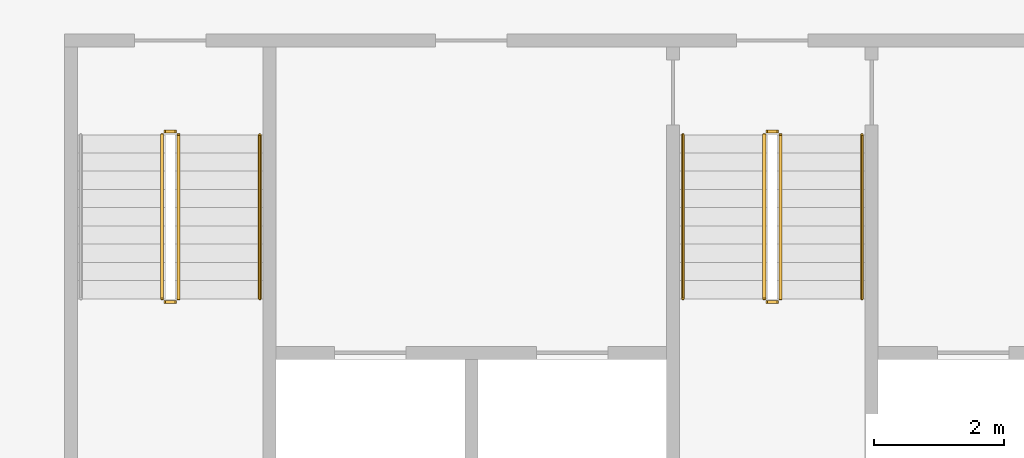
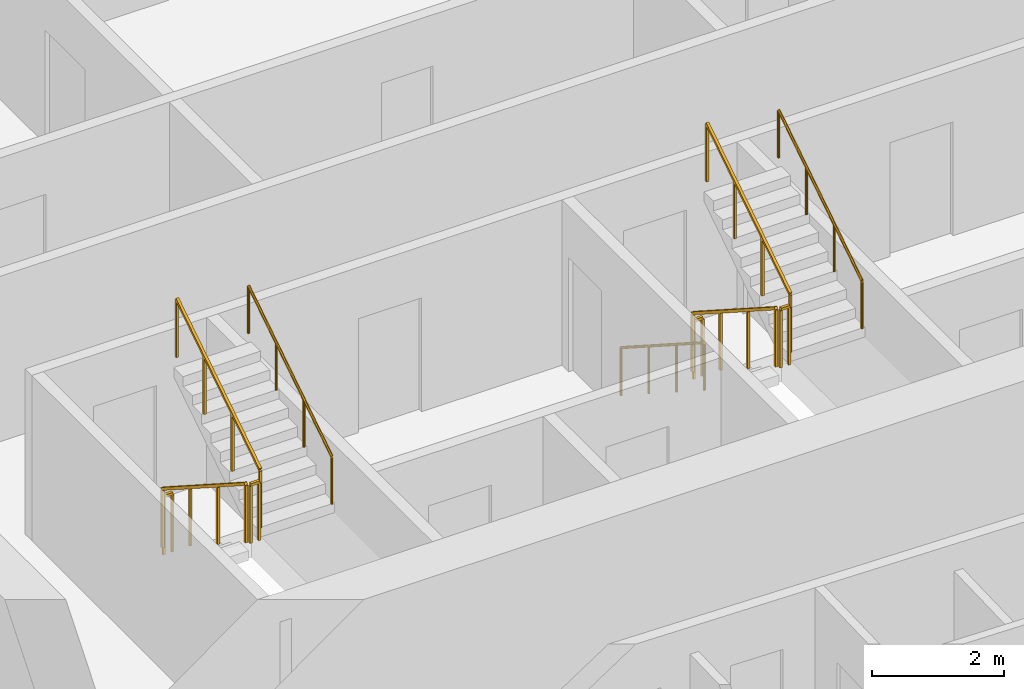
# One storey, part 12 of 14: 11 railings.
"""IFC4 building model written with IfcOpenShell, lengths in metres."""

from ifc_helpers import new_model, si_unit, direction, frame, origin, origin_2d, place, context, subcontext, project, spatial, rectangle, circle, extrude, material, type_object, element, save


model = new_model("IFC4")

# Units and contexts
model_context = context("Model", 3, precision=1e-05, world=origin(), true_north=direction((0.0, 1.0)))
body_context = subcontext(model_context, "Body", "Model", "MODEL_VIEW")
ifc_project = project(units=[si_unit("LENGTHUNIT", "METRE"), si_unit("AREAUNIT", "SQUARE_METRE"), si_unit("VOLUMEUNIT", "CUBIC_METRE"), si_unit("PLANEANGLEUNIT", "RADIAN"), si_unit("MASSUNIT", "GRAM", prefix="KILO")], contexts=[model_context])

# Site, building, storey
site_placement = place(None, origin())
site = spatial("IfcSite", under=ifc_project, at=site_placement, CompositionType="ELEMENT")
building_placement = place(site_placement, origin())
building = spatial("IfcBuilding", under=site, at=building_placement, Name="Mangrove Gate Tower", CompositionType="ELEMENT")
storey_placement = place(building_placement, frame((0.0, 0.0, 208.699951171875)))
storey = spatial("IfcBuildingStorey", under=building, at=storey_placement, Name="L53", CompositionType="ELEMENT", Elevation=208.699951171875)

# Railings
ifc_material_1 = material(Name="Stainless steel 316", Category="steel")
railing_type_1 = type_object("IfcRailingType", Name="Core stair guard 1100", PredefinedType="GUARDRAIL", material=ifc_material_1)
railing_1_placement = place(storey_placement, frame((-9.39990234375, -4.64990234375, 0.179931640625)))
element("IfcRailing", 1, at=railing_1_placement, inside=storey, type_object=railing_type_1, Name="L53 ST1 stair guard 1", PredefinedType="GUARDRAIL", context=body_context, shape_type="SweptSolid", body=[
    extrude(rectangle(XDim=0.048095703125, YDim=0.048095703125, at=origin_2d()), frame((0.0, 0.0, 1.076171875), z_axis=(0.0, -0.841162588446, 0.540782303519), x_axis=(1.0, 0.0, 0.0)), (0.0, 0.0, 1.0), 2.995849609375),
    extrude(rectangle(XDim=0.0419921875, YDim=0.0419921875, at=origin_2d()), origin(), (0.0, 0.0, 1.0), 1.052001953125),
    extrude(rectangle(XDim=0.0419921875, YDim=0.0419921875, at=origin_2d()), frame((0.0, -0.840087890625, 0.5400390625)), (0.0, 0.0, 1.0), 1.052001953125),
    extrude(rectangle(XDim=0.0419921875, YDim=0.0419921875, at=origin_2d()), frame((0.0, -1.679931640625, 1.080078125)), (0.0, 0.0, 1.0), 1.052001953125),
    extrude(rectangle(XDim=0.0419921875, YDim=0.0419921875, at=origin_2d()), frame((0.0, -2.52001953125, 1.6201171875)), (0.0, 0.0, 1.0), 1.052001953125),
])
railing_2_placement = place(storey_placement, frame((-9.35009765625, -7.219970703125, 1.800048828125)))
element("IfcRailing", 2, at=railing_2_placement, inside=storey, type_object=railing_type_1, Name="L53 ST1 stair guard 2", PredefinedType="GUARDRAIL", context=body_context, shape_type="SweptSolid", body=[
    extrude(rectangle(XDim=0.048095703125, YDim=0.048095703125, at=origin_2d()), frame((0.0, 0.0, 1.076171875), z_axis=(1.0, 0.0, 0.0), x_axis=(0.0, 1.0, 0.0)), (0.0, 0.0, 1.0), 0.150146484375),
    extrude(rectangle(XDim=0.0419921875, YDim=0.0419921875, at=origin_2d()), origin(), (0.0, 0.0, 1.0), 1.052001953125),
    extrude(rectangle(XDim=0.0419921875, YDim=0.0419921875, at=origin_2d()), frame((0.150146484375, 0.0, 0.0)), (0.0, 0.0, 1.0), 1.052001953125),
])
railing_3_placement = place(storey_placement, frame((-9.14990234375, -7.169921875, 1.97998046875)))
element("IfcRailing", 3, at=railing_3_placement, inside=storey, type_object=railing_type_1, Name="L53 ST1 stair guard 3", PredefinedType="GUARDRAIL", context=body_context, shape_type="SweptSolid", body=[
    extrude(rectangle(XDim=0.048095703125, YDim=0.048095703125, at=origin_2d()), frame((0.0, 0.0, 1.076171875), z_axis=(0.0, 0.841162588446, 0.540782303519), x_axis=(-1.0, 0.0, 0.0)), (0.0, 0.0, 1.0), 2.995849609375),
    extrude(rectangle(XDim=0.0419921875, YDim=0.0419921875, at=origin_2d()), origin(), (0.0, 0.0, 1.0), 1.052001953125),
    extrude(rectangle(XDim=0.0419921875, YDim=0.0419921875, at=origin_2d()), frame((0.0, 0.840087890625, 0.5400390625)), (0.0, 0.0, 1.0), 1.052001953125),
    extrude(rectangle(XDim=0.0419921875, YDim=0.0419921875, at=origin_2d()), frame((0.0, 1.679931640625, 1.080078125)), (0.0, 0.0, 1.0), 1.052001953125),
    extrude(rectangle(XDim=0.0419921875, YDim=0.0419921875, at=origin_2d()), frame((0.0, 2.52001953125, 1.6201171875)), (0.0, 0.0, 1.0), 1.052001953125),
])
railing_4_placement = place(storey_placement, frame((-9.35009765625, -4.60009765625, 0.0)))
element("IfcRailing", 4, at=railing_4_placement, inside=storey, type_object=railing_type_1, Name="L53 ST1 stair guard 4", PredefinedType="GUARDRAIL", context=body_context, shape_type="SweptSolid", body=[
    extrude(rectangle(XDim=0.048095703125, YDim=0.048095703125, at=origin_2d()), frame((0.0, 0.0, 1.076171875), z_axis=(1.0, 0.0, 0.0), x_axis=(0.0, 1.0, 0.0)), (0.0, 0.0, 1.0), 0.150146484375),
    extrude(rectangle(XDim=0.0419921875, YDim=0.0419921875, at=origin_2d()), origin(), (0.0, 0.0, 1.0), 1.052001953125),
    extrude(rectangle(XDim=0.0419921875, YDim=0.0419921875, at=origin_2d()), frame((0.150146484375, 0.0, 0.0)), (0.0, 0.0, 1.0), 1.052001953125),
])
railing_5_placement = place(storey_placement, frame((-0.14990234375, -4.64990234375, 0.179931640625)))
element("IfcRailing", 5, at=railing_5_placement, inside=storey, type_object=railing_type_1, Name="L53 ST2 stair guard 1", PredefinedType="GUARDRAIL", context=body_context, shape_type="SweptSolid", body=[
    extrude(rectangle(XDim=0.048095703125, YDim=0.048095703125, at=origin_2d()), frame((0.0, 0.0, 1.076171875), z_axis=(0.0, -0.841162588446, 0.540782303519), x_axis=(1.0, 0.0, 0.0)), (0.0, 0.0, 1.0), 2.995849609375),
    extrude(rectangle(XDim=0.0419921875, YDim=0.0419921875, at=origin_2d()), origin(), (0.0, 0.0, 1.0), 1.052001953125),
    extrude(rectangle(XDim=0.0419921875, YDim=0.0419921875, at=origin_2d()), frame((0.0, -0.840087890625, 0.5400390625)), (0.0, 0.0, 1.0), 1.052001953125),
    extrude(rectangle(XDim=0.0419921875, YDim=0.0419921875, at=origin_2d()), frame((0.0, -1.679931640625, 1.080078125)), (0.0, 0.0, 1.0), 1.052001953125),
    extrude(rectangle(XDim=0.0419921875, YDim=0.0419921875, at=origin_2d()), frame((0.0, -2.52001953125, 1.6201171875)), (0.0, 0.0, 1.0), 1.052001953125),
])
railing_6_placement = place(storey_placement, frame((-0.10009765625, -7.219970703125, 1.800048828125)))
element("IfcRailing", 6, at=railing_6_placement, inside=storey, type_object=railing_type_1, Name="L53 ST2 stair guard 2", PredefinedType="GUARDRAIL", context=body_context, shape_type="SweptSolid", body=[
    extrude(rectangle(XDim=0.048095703125, YDim=0.048095703125, at=origin_2d()), frame((0.0, 0.0, 1.076171875), z_axis=(1.0, 0.0, 0.0), x_axis=(0.0, 1.0, 0.0)), (0.0, 0.0, 1.0), 0.150146484375),
    extrude(rectangle(XDim=0.0419921875, YDim=0.0419921875, at=origin_2d()), origin(), (0.0, 0.0, 1.0), 1.052001953125),
    extrude(rectangle(XDim=0.0419921875, YDim=0.0419921875, at=origin_2d()), frame((0.150146484375, 0.0, 0.0)), (0.0, 0.0, 1.0), 1.052001953125),
])
railing_7_placement = place(storey_placement, frame((0.10009765625, -7.169921875, 1.97998046875)))
element("IfcRailing", 7, at=railing_7_placement, inside=storey, type_object=railing_type_1, Name="L53 ST2 stair guard 3", PredefinedType="GUARDRAIL", context=body_context, shape_type="SweptSolid", body=[
    extrude(rectangle(XDim=0.048095703125, YDim=0.048095703125, at=origin_2d()), frame((0.0, 0.0, 1.076171875), z_axis=(0.0, 0.841162588446, 0.540782303519), x_axis=(-1.0, 0.0, 0.0)), (0.0, 0.0, 1.0), 2.995849609375),
    extrude(rectangle(XDim=0.0419921875, YDim=0.0419921875, at=origin_2d()), origin(), (0.0, 0.0, 1.0), 1.052001953125),
    extrude(rectangle(XDim=0.0419921875, YDim=0.0419921875, at=origin_2d()), frame((0.0, 0.840087890625, 0.5400390625)), (0.0, 0.0, 1.0), 1.052001953125),
    extrude(rectangle(XDim=0.0419921875, YDim=0.0419921875, at=origin_2d()), frame((0.0, 1.679931640625, 1.080078125)), (0.0, 0.0, 1.0), 1.052001953125),
    extrude(rectangle(XDim=0.0419921875, YDim=0.0419921875, at=origin_2d()), frame((0.0, 2.52001953125, 1.6201171875)), (0.0, 0.0, 1.0), 1.052001953125),
])
railing_8_placement = place(storey_placement, frame((-0.10009765625, -4.60009765625, 0.0)))
element("IfcRailing", 8, at=railing_8_placement, inside=storey, type_object=railing_type_1, Name="L53 ST2 stair guard 4", PredefinedType="GUARDRAIL", context=body_context, shape_type="SweptSolid", body=[
    extrude(rectangle(XDim=0.048095703125, YDim=0.048095703125, at=origin_2d()), frame((0.0, 0.0, 1.076171875), z_axis=(1.0, 0.0, 0.0), x_axis=(0.0, 1.0, 0.0)), (0.0, 0.0, 1.0), 0.150146484375),
    extrude(rectangle(XDim=0.0419921875, YDim=0.0419921875, at=origin_2d()), origin(), (0.0, 0.0, 1.0), 1.052001953125),
    extrude(rectangle(XDim=0.0419921875, YDim=0.0419921875, at=origin_2d()), frame((0.150146484375, 0.0, 0.0)), (0.0, 0.0, 1.0), 1.052001953125),
])
ifc_material_2 = material(Name="Stainless steel 316", Category="steel")
railing_type_2 = type_object("IfcRailingType", Name="Core stair handrail 900", PredefinedType="HANDRAIL", material=ifc_material_2)
railing_9_placement = place(storey_placement, frame((-7.89990234375, -7.169921875, 1.97998046875)))
element("IfcRailing", 9, at=railing_9_placement, inside=storey, type_object=railing_type_2, Name="L53 ST1 stair handrail 2", PredefinedType="HANDRAIL", context=body_context, shape_type="SweptSolid", body=[
    extrude(circle(Radius=0.02392578125, at=origin_2d()), frame((0.0, 0.0, 0.8759765625), z_axis=(0.0, 0.841162588446, 0.540782303519), x_axis=(-1.0, 0.0, 0.0)), (0.0, 0.0, 1.0), 2.995849609375),
    extrude(circle(Radius=0.02099609375, at=origin_2d()), origin(), (0.0, 0.0, 1.0), 0.851806640625),
    extrude(circle(Radius=0.02099609375, at=origin_2d()), frame((0.0, 0.840087890625, 0.5400390625)), (0.0, 0.0, 1.0), 0.851806640625),
    extrude(circle(Radius=0.02099609375, at=origin_2d()), frame((0.0, 1.679931640625, 1.080078125)), (0.0, 0.0, 1.0), 0.851806640625),
    extrude(circle(Radius=0.02099609375, at=origin_2d()), frame((0.0, 2.52001953125, 1.6201171875)), (0.0, 0.0, 1.0), 0.851806640625),
])
railing_10_placement = place(storey_placement, frame((-1.39990234375, -4.64990234375, 0.179931640625)))
element("IfcRailing", 10, at=railing_10_placement, inside=storey, type_object=railing_type_2, Name="L53 ST2 stair handrail 1", PredefinedType="HANDRAIL", context=body_context, shape_type="SweptSolid", body=[
    extrude(circle(Radius=0.02392578125, at=origin_2d()), frame((0.0, 0.0, 0.8759765625), z_axis=(0.0, -0.841162588446, 0.540782303519), x_axis=(1.0, 0.0, 0.0)), (0.0, 0.0, 1.0), 2.995849609375),
    extrude(circle(Radius=0.02099609375, at=origin_2d()), origin(), (0.0, 0.0, 1.0), 0.851806640625),
    extrude(circle(Radius=0.02099609375, at=origin_2d()), frame((0.0, -0.840087890625, 0.5400390625)), (0.0, 0.0, 1.0), 0.851806640625),
    extrude(circle(Radius=0.02099609375, at=origin_2d()), frame((0.0, -1.679931640625, 1.080078125)), (0.0, 0.0, 1.0), 0.851806640625),
    extrude(circle(Radius=0.02099609375, at=origin_2d()), frame((0.0, -2.52001953125, 1.6201171875)), (0.0, 0.0, 1.0), 0.851806640625),
])
railing_11_placement = place(storey_placement, frame((1.35009765625, -7.169921875, 1.97998046875)))
element("IfcRailing", 11, at=railing_11_placement, inside=storey, type_object=railing_type_2, Name="L53 ST2 stair handrail 2", PredefinedType="HANDRAIL", context=body_context, shape_type="SweptSolid", body=[
    extrude(circle(Radius=0.02392578125, at=origin_2d()), frame((0.0, 0.0, 0.8759765625), z_axis=(0.0, 0.841162588446, 0.540782303519), x_axis=(-1.0, 0.0, 0.0)), (0.0, 0.0, 1.0), 2.995849609375),
    extrude(circle(Radius=0.02099609375, at=origin_2d()), origin(), (0.0, 0.0, 1.0), 0.851806640625),
    extrude(circle(Radius=0.02099609375, at=origin_2d()), frame((0.0, 0.840087890625, 0.5400390625)), (0.0, 0.0, 1.0), 0.851806640625),
    extrude(circle(Radius=0.02099609375, at=origin_2d()), frame((0.0, 1.679931640625, 1.080078125)), (0.0, 0.0, 1.0), 0.851806640625),
    extrude(circle(Radius=0.02099609375, at=origin_2d()), frame((0.0, 2.52001953125, 1.6201171875)), (0.0, 0.0, 1.0), 0.851806640625),
])

save(model, "model.ifc")
